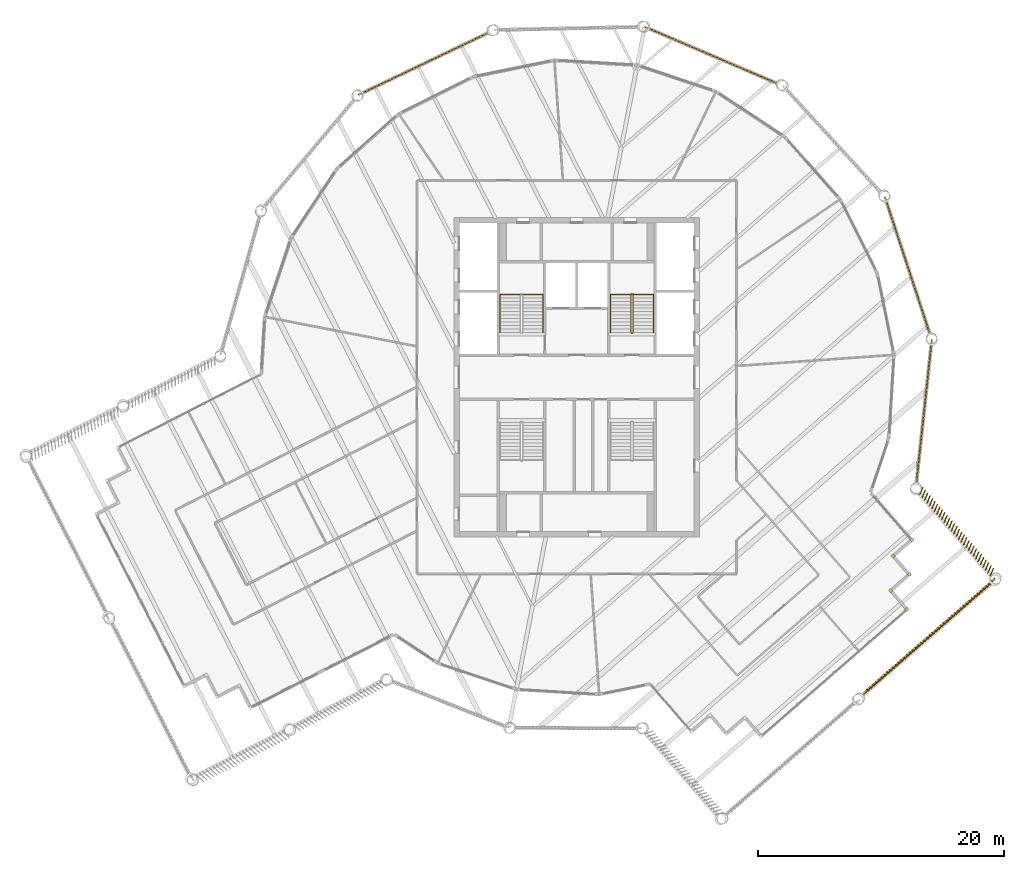
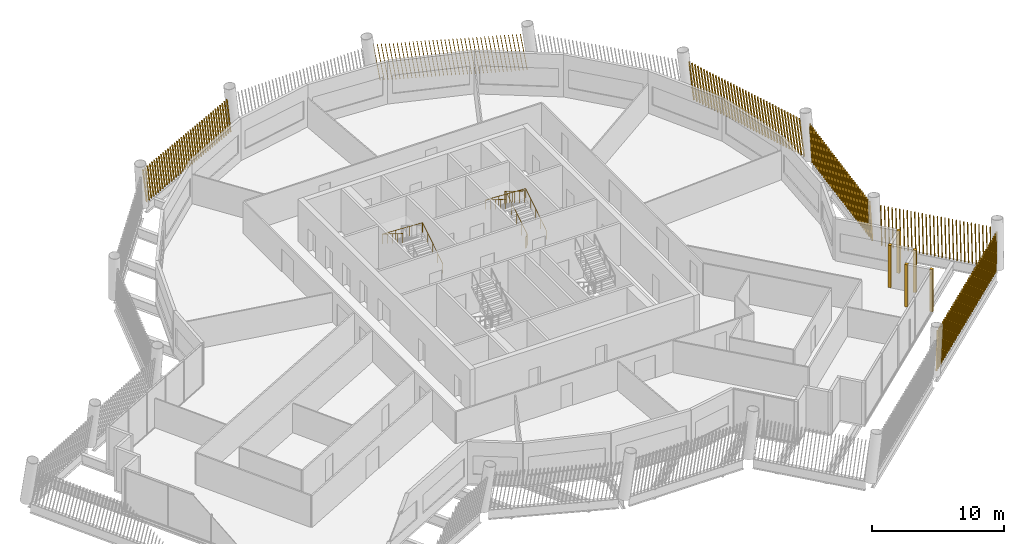
# One storey, part 27 of 28: 11 shading devices, 3 railings.
"""IFC4 building model written with IfcOpenShell, lengths in metres."""

from ifc_helpers import new_model, si_unit, direction, frame, frame_2d, origin, origin_2d, place, context, subcontext, project, spatial, rectangle, circle, composite_profile, extrude, material, type_object, element, save


model = new_model("IFC4")

# Units and contexts
model_context = context("Model", 3, precision=1e-05, world=origin(), true_north=direction((0.0, 1.0)))
body_context = subcontext(model_context, "Body", "Model", "MODEL_VIEW")
ifc_project = project(units=[si_unit("LENGTHUNIT", "METRE"), si_unit("AREAUNIT", "SQUARE_METRE"), si_unit("VOLUMEUNIT", "CUBIC_METRE"), si_unit("PLANEANGLEUNIT", "RADIAN"), si_unit("MASSUNIT", "GRAM", prefix="KILO")], contexts=[model_context])

# Site, building, storey
site_placement = place(None, origin())
site = spatial("IfcSite", under=ifc_project, at=site_placement, CompositionType="ELEMENT")
building_placement = place(site_placement, origin())
building = spatial("IfcBuilding", under=site, at=building_placement, Name="Tarsis Ring Headquarters", CompositionType="ELEMENT")
storey_placement = place(building_placement, frame((0.0, 0.0, 394.39990234375)))
storey = spatial("IfcBuildingStorey", under=building, at=storey_placement, Name="L93", CompositionType="ELEMENT", Elevation=394.39990234375)

# Railings
ifc_material_1 = material(Name="Steel S355", Category="steel")
railing_type_1 = type_object("IfcRailingType", Name="Core stair guard 1100", PredefinedType="GUARDRAIL", material=ifc_material_1)
railing_1_placement = place(storey_placement, frame((4.4599609375, 3.610107421875, 0.0)))
element("IfcRailing", 1, at=railing_1_placement, inside=storey, type_object=railing_type_1, Name="L93 ST2 stair guard 1", PredefinedType="GUARDRAIL", context=body_context, shape_type="SweptSolid", body=[
    extrude(circle(Radius=0.02392578125, at=origin_2d()), frame((0.0, 0.0, 1.076171875), z_axis=(1.0, 0.0, 0.0), x_axis=(0.0, 1.0, 0.0)), (0.0, 0.0, 1.0), 0.080078125),
    extrude(circle(Radius=0.02392578125, at=origin_2d()), frame((0.080078125, 0.0, 1.076171875), z_axis=(0.265155923931, 0.263862480399, 0.927399011991), x_axis=(-0.705375805398, 0.708833529934, 0.0)), (0.0, 0.0, 1.0), 0.188720703125),
    extrude(circle(Radius=0.02392578125, at=origin_2d()), frame((0.130126953125, 0.0498046875, 1.2509765625), z_axis=(0.0, 0.847998304005, 0.529998940003), x_axis=(-1.0, 0.0, 0.0)), (0.0, 0.0, 1.0), 3.632080078125),
    extrude(circle(Radius=0.02392578125, at=origin_2d()), frame((0.130126953125, 3.1298828125, 3.17626953125), z_axis=(-0.707106781187, 0.707106781187, 0.0), x_axis=(-0.707106781187, -0.707106781187, 0.0)), (0.0, 0.0, 1.0), 0.07080078125),
    extrude(circle(Radius=0.02392578125, at=origin_2d()), frame((0.080078125, 3.179931640625, 3.17626953125), z_axis=(-1.0, 0.0, 0.0), x_axis=(0.0, -1.0, 0.0)), (0.0, 0.0, 1.0), 0.080078125),
    extrude(circle(Radius=0.02392578125, at=origin_2d()), frame((0.0, 3.179931640625, 3.17626953125), z_axis=(-0.265065253269, -0.265065253269, 0.927081885822), x_axis=(0.707106781187, -0.707106781187, 0.0)), (0.0, 0.0, 1.0), 0.188720703125),
    extrude(circle(Radius=0.02392578125, at=origin_2d()), frame((-0.050048828125, 3.1298828125, 3.35107421875), z_axis=(0.0, -0.847998304005, 0.529998940003), x_axis=(1.0, 0.0, 0.0)), (0.0, 0.0, 1.0), 3.632080078125),
    extrude(circle(Radius=0.02099609375, at=origin_2d()), origin(), (0.0, 0.0, 1.0), 1.052001953125),
    extrude(circle(Radius=0.02099609375, at=origin_2d()), frame((0.080078125, 0.0, 0.0)), (0.0, 0.0, 1.0), 1.052001953125),
    extrude(circle(Radius=0.02099609375, at=origin_2d()), frame((0.130126953125, 0.0498046875, 0.175048828125)), (0.0, 0.0, 1.0), 1.052001953125),
    extrude(circle(Radius=0.02099609375, at=origin_2d()), frame((0.130126953125, 0.81982421875, 0.65625)), (0.0, 0.0, 1.0), 1.052001953125),
    extrude(circle(Radius=0.02099609375, at=origin_2d()), frame((0.130126953125, 1.58984375, 1.1376953125)), (0.0, 0.0, 1.0), 1.052001953125),
    extrude(circle(Radius=0.02099609375, at=origin_2d()), frame((0.130126953125, 2.35986328125, 1.618896484375)), (0.0, 0.0, 1.0), 1.052001953125),
    extrude(circle(Radius=0.02099609375, at=origin_2d()), frame((0.130126953125, 3.1298828125, 2.10009765625)), (0.0, 0.0, 1.0), 1.052001953125),
    extrude(circle(Radius=0.02099609375, at=origin_2d()), frame((0.080078125, 3.179931640625, 2.10009765625)), (0.0, 0.0, 1.0), 1.052001953125),
    extrude(circle(Radius=0.02099609375, at=origin_2d()), frame((0.0, 3.179931640625, 2.10009765625)), (0.0, 0.0, 1.0), 1.052001953125),
    extrude(circle(Radius=0.02099609375, at=origin_2d()), frame((-0.050048828125, 3.1298828125, 2.275146484375)), (0.0, 0.0, 1.0), 1.052001953125),
    extrude(circle(Radius=0.02099609375, at=origin_2d()), frame((-0.050048828125, 2.35986328125, 2.75634765625)), (0.0, 0.0, 1.0), 1.052001953125),
    extrude(circle(Radius=0.02099609375, at=origin_2d()), frame((-0.050048828125, 1.58984375, 3.23779296875)), (0.0, 0.0, 1.0), 1.052001953125),
    extrude(circle(Radius=0.02099609375, at=origin_2d()), frame((-0.050048828125, 0.81982421875, 3.718994140625)), (0.0, 0.0, 1.0), 1.052001953125),
    extrude(circle(Radius=0.02099609375, at=origin_2d()), frame((-0.050048828125, 0.0498046875, 4.2001953125)), (0.0, 0.0, 1.0), 1.052001953125),
])
railing_type_2 = type_object("IfcRailingType", Name="Core stair handrail 900", PredefinedType="HANDRAIL", material=ifc_material_1)
railing_2_placement = place(storey_placement, frame((-2.75, 3.659912109375, 0.175048828125)))
element("IfcRailing", 2, at=railing_2_placement, inside=storey, type_object=railing_type_2, Name="L93 ST1 stair handrail 1", PredefinedType="HANDRAIL", context=body_context, shape_type="SweptSolid", body=[
    extrude(circle(Radius=0.02392578125, at=origin_2d()), frame((0.0, 0.0, 0.8759765625), z_axis=(0.0, 0.847998304005, 0.529998940003), x_axis=(-1.0, 0.0, 0.0)), (0.0, 0.0, 1.0), 3.632080078125),
    extrude(circle(Radius=0.02392578125, at=origin_2d()), frame((0.0, 3.080078125, 2.80078125), z_axis=(-0.998751643845, 0.0, 0.049951515669), x_axis=(0.0, -1.0, 0.0)), (0.0, 0.0, 1.0), 3.50439453125),
    extrude(circle(Radius=0.02392578125, at=origin_2d()), frame((-3.5, 3.080078125, 2.97607421875), z_axis=(0.0, -0.847998304005, 0.529998940003), x_axis=(1.0, 0.0, 0.0)), (0.0, 0.0, 1.0), 3.632080078125),
    extrude(circle(Radius=0.02099609375, at=origin_2d()), origin(), (0.0, 0.0, 1.0), 0.851806640625),
    extrude(circle(Radius=0.02099609375, at=origin_2d()), frame((0.0, 0.77001953125, 0.481201171875)), (0.0, 0.0, 1.0), 0.851806640625),
    extrude(circle(Radius=0.02099609375, at=origin_2d()), frame((0.0, 1.5400390625, 0.96240234375)), (0.0, 0.0, 1.0), 0.851806640625),
    extrude(circle(Radius=0.02099609375, at=origin_2d()), frame((0.0, 2.31005859375, 1.44384765625)), (0.0, 0.0, 1.0), 0.851806640625),
    extrude(circle(Radius=0.02099609375, at=origin_2d()), frame((0.0, 3.080078125, 1.925048828125)), (0.0, 0.0, 1.0), 0.851806640625),
    extrude(circle(Radius=0.02099609375, at=origin_2d()), frame((-1.166748046875, 3.080078125, 1.9833984375)), (0.0, 0.0, 1.0), 0.851806640625),
    extrude(circle(Radius=0.02099609375, at=origin_2d()), frame((-2.333251953125, 3.080078125, 2.041748046875)), (0.0, 0.0, 1.0), 0.851806640625),
    extrude(circle(Radius=0.02099609375, at=origin_2d()), frame((-3.5, 3.080078125, 2.10009765625)), (0.0, 0.0, 1.0), 0.851806640625),
    extrude(circle(Radius=0.02099609375, at=origin_2d()), frame((-3.5, 2.31005859375, 2.581298828125)), (0.0, 0.0, 1.0), 0.851806640625),
    extrude(circle(Radius=0.02099609375, at=origin_2d()), frame((-3.5, 1.5400390625, 3.0625)), (0.0, 0.0, 1.0), 0.851806640625),
    extrude(circle(Radius=0.02099609375, at=origin_2d()), frame((-3.5, 0.77001953125, 3.5439453125)), (0.0, 0.0, 1.0), 0.851806640625),
    extrude(circle(Radius=0.02099609375, at=origin_2d()), frame((-3.5, 0.0, 4.025146484375)), (0.0, 0.0, 1.0), 0.851806640625),
])
railing_3_placement = place(storey_placement, frame((6.25, 3.659912109375, 0.175048828125)))
element("IfcRailing", 3, at=railing_3_placement, inside=storey, type_object=railing_type_2, Name="L93 ST2 stair handrail 1", PredefinedType="HANDRAIL", context=body_context, shape_type="SweptSolid", body=[
    extrude(circle(Radius=0.02392578125, at=origin_2d()), frame((0.0, 0.0, 0.8759765625), z_axis=(0.0, 0.847998304005, 0.529998940003), x_axis=(-1.0, 0.0, 0.0)), (0.0, 0.0, 1.0), 3.632080078125),
    extrude(circle(Radius=0.02392578125, at=origin_2d()), frame((0.0, 3.080078125, 2.80078125), z_axis=(-0.998751643845, 0.0, 0.049951515669), x_axis=(0.0, -1.0, 0.0)), (0.0, 0.0, 1.0), 3.50439453125),
    extrude(circle(Radius=0.02392578125, at=origin_2d()), frame((-3.5, 3.080078125, 2.97607421875), z_axis=(0.0, -0.847998304005, 0.529998940003), x_axis=(1.0, 0.0, 0.0)), (0.0, 0.0, 1.0), 3.632080078125),
    extrude(circle(Radius=0.02099609375, at=origin_2d()), origin(), (0.0, 0.0, 1.0), 0.851806640625),
    extrude(circle(Radius=0.02099609375, at=origin_2d()), frame((0.0, 0.77001953125, 0.481201171875)), (0.0, 0.0, 1.0), 0.851806640625),
    extrude(circle(Radius=0.02099609375, at=origin_2d()), frame((0.0, 1.5400390625, 0.96240234375)), (0.0, 0.0, 1.0), 0.851806640625),
    extrude(circle(Radius=0.02099609375, at=origin_2d()), frame((0.0, 2.31005859375, 1.44384765625)), (0.0, 0.0, 1.0), 0.851806640625),
    extrude(circle(Radius=0.02099609375, at=origin_2d()), frame((0.0, 3.080078125, 1.925048828125)), (0.0, 0.0, 1.0), 0.851806640625),
    extrude(circle(Radius=0.02099609375, at=origin_2d()), frame((-1.166748046875, 3.080078125, 1.9833984375)), (0.0, 0.0, 1.0), 0.851806640625),
    extrude(circle(Radius=0.02099609375, at=origin_2d()), frame((-2.333251953125, 3.080078125, 2.041748046875)), (0.0, 0.0, 1.0), 0.851806640625),
    extrude(circle(Radius=0.02099609375, at=origin_2d()), frame((-3.5, 3.080078125, 2.10009765625)), (0.0, 0.0, 1.0), 0.851806640625),
    extrude(circle(Radius=0.02099609375, at=origin_2d()), frame((-3.5, 2.31005859375, 2.581298828125)), (0.0, 0.0, 1.0), 0.851806640625),
    extrude(circle(Radius=0.02099609375, at=origin_2d()), frame((-3.5, 1.5400390625, 3.0625)), (0.0, 0.0, 1.0), 0.851806640625),
    extrude(circle(Radius=0.02099609375, at=origin_2d()), frame((-3.5, 0.77001953125, 3.5439453125)), (0.0, 0.0, 1.0), 0.851806640625),
    extrude(circle(Radius=0.02099609375, at=origin_2d()), frame((-3.5, 0.0, 4.025146484375)), (0.0, 0.0, 1.0), 0.851806640625),
])

# Shading devices
ifc_material_2 = material(Name="Terracotta baguette", Category="masonry")
shading_device_type_1 = type_object("IfcShadingDeviceType", Name="Terracotta baguette screen", PredefinedType="USERDEFINED", material=ifc_material_2)
shading_device_1_placement = place(storey_placement, frame((23.226318359375, -25.919677734375, 0.0), z_axis=(0.0, 0.0, 1.0), x_axis=(0.754250331712, 0.656576735958, 0.0)))
element("IfcShadingDevice", 4, at=shading_device_1_placement, inside=storey, type_object=shading_device_type_1, Name="Baguette screen L93-03", ObjectType="Terracotta baguette screen", PredefinedType="USERDEFINED", context=body_context, shape_type="SweptSolid", body=[
    extrude(composite_profile([rectangle(XDim=0.06005859375, YDim=0.1201171875, at=frame_2d((0.030029296875, 0.0))), rectangle(XDim=0.06005859375, YDim=0.1201171875, at=frame_2d((0.33544921875, 0.0))), rectangle(XDim=0.06005859375, YDim=0.1201171875, at=frame_2d((0.640625, 0.0))), rectangle(XDim=0.06005859375, YDim=0.1201171875, at=frame_2d((0.946044921875, 0.0))), rectangle(XDim=0.06005859375, YDim=0.1201171875, at=frame_2d((1.25146484375, 0.0))), rectangle(XDim=0.06005859375, YDim=0.1201171875, at=frame_2d((1.556640625, 0.0))), rectangle(XDim=0.06005859375, YDim=0.1201171875, at=frame_2d((1.862060546875, 0.0))), rectangle(XDim=0.06005859375, YDim=0.1201171875, at=frame_2d((2.16748046875, 0.0))), rectangle(XDim=0.06005859375, YDim=0.1201171875, at=frame_2d((2.47265625, 0.0))), rectangle(XDim=0.06005859375, YDim=0.1201171875, at=frame_2d((2.778076171875, 0.0))), rectangle(XDim=0.06005859375, YDim=0.1201171875, at=frame_2d((3.08349609375, 0.0))), rectangle(XDim=0.06005859375, YDim=0.1201171875, at=frame_2d((3.388671875, 0.0))), rectangle(XDim=0.06005859375, YDim=0.1201171875, at=frame_2d((3.694091796875, 0.0))), rectangle(XDim=0.06005859375, YDim=0.1201171875, at=frame_2d((3.99951171875, 0.0))), rectangle(XDim=0.06005859375, YDim=0.1201171875, at=frame_2d((4.3046875, 0.0))), rectangle(XDim=0.06005859375, YDim=0.1201171875, at=frame_2d((4.610107421875, 0.0))), rectangle(XDim=0.06005859375, YDim=0.1201171875, at=frame_2d((4.91552734375, 0.0))), rectangle(XDim=0.06005859375, YDim=0.1201171875, at=frame_2d((5.220703125, 0.0))), rectangle(XDim=0.06005859375, YDim=0.1201171875, at=frame_2d((5.526123046875, 0.0))), rectangle(XDim=0.06005859375, YDim=0.1201171875, at=frame_2d((5.83154296875, 0.0))), rectangle(XDim=0.06005859375, YDim=0.1201171875, at=frame_2d((6.13671875, 0.0))), rectangle(XDim=0.06005859375, YDim=0.1201171875, at=frame_2d((6.442138671875, 0.0))), rectangle(XDim=0.06005859375, YDim=0.1201171875, at=frame_2d((6.74755859375, 0.0))), rectangle(XDim=0.06005859375, YDim=0.1201171875, at=frame_2d((7.052734375, 0.0))), rectangle(XDim=0.06005859375, YDim=0.1201171875, at=frame_2d((7.358154296875, 0.0))), rectangle(XDim=0.06005859375, YDim=0.1201171875, at=frame_2d((7.66357421875, 0.0))), rectangle(XDim=0.06005859375, YDim=0.1201171875, at=frame_2d((7.96875, 0.0))), rectangle(XDim=0.06005859375, YDim=0.1201171875, at=frame_2d((8.274169921875, 0.0))), rectangle(XDim=0.06005859375, YDim=0.1201171875, at=frame_2d((8.57958984375, 0.0))), rectangle(XDim=0.06005859375, YDim=0.1201171875, at=frame_2d((8.884765625, 0.0))), rectangle(XDim=0.06005859375, YDim=0.1201171875, at=frame_2d((9.190185546875, 0.0))), rectangle(XDim=0.06005859375, YDim=0.1201171875, at=frame_2d((9.49560546875, 0.0))), rectangle(XDim=0.06005859375, YDim=0.1201171875, at=frame_2d((9.80078125, 0.0))), rectangle(XDim=0.06005859375, YDim=0.1201171875, at=frame_2d((10.106201171875, 0.0))), rectangle(XDim=0.06005859375, YDim=0.1201171875, at=frame_2d((10.41162109375, 0.0))), rectangle(XDim=0.06005859375, YDim=0.1201171875, at=frame_2d((10.716796875, 0.0))), rectangle(XDim=0.06005859375, YDim=0.1201171875, at=frame_2d((11.022216796875, 0.0))), rectangle(XDim=0.06005859375, YDim=0.1201171875, at=frame_2d((11.32763671875, 0.0))), rectangle(XDim=0.06005859375, YDim=0.1201171875, at=frame_2d((11.6328125, 0.0))), rectangle(XDim=0.06005859375, YDim=0.1201171875, at=frame_2d((11.938232421875, 0.0))), rectangle(XDim=0.06005859375, YDim=0.1201171875, at=frame_2d((12.24365234375, 0.0))), rectangle(XDim=0.06005859375, YDim=0.1201171875, at=frame_2d((12.548828125, 0.0))), rectangle(XDim=0.06005859375, YDim=0.1201171875, at=frame_2d((12.854248046875, 0.0))), rectangle(XDim=0.06005859375, YDim=0.1201171875, at=frame_2d((13.15966796875, 0.0))), rectangle(XDim=0.06005859375, YDim=0.1201171875, at=frame_2d((13.46484375, 0.0))), rectangle(XDim=0.06005859375, YDim=0.1201171875, at=frame_2d((13.770263671875, 0.0)))]), origin(), (0.187702304478, 0.041698971866, 0.981340430554), 3.358642578125),
])
shading_device_2_placement = place(storey_placement, frame((33.683837890625, -16.1533203125, 0.0), z_axis=(0.0, 0.0, 1.0), x_axis=(-0.656582741792, 0.754242457853, 0.0)))
element("IfcShadingDevice", 5, at=shading_device_2_placement, inside=storey, type_object=shading_device_type_1, Name="Baguette screen L93-04", ObjectType="Terracotta baguette screen", PredefinedType="USERDEFINED", context=body_context, shape_type="SweptSolid", body=[
    extrude(composite_profile([rectangle(XDim=0.06005859375, YDim=0.1201171875, at=frame_2d((0.030029296875, 0.0))), rectangle(XDim=0.06005859375, YDim=0.1201171875, at=frame_2d((0.33154296875, 0.0))), rectangle(XDim=0.06005859375, YDim=0.1201171875, at=frame_2d((0.633056640625, 0.0))), rectangle(XDim=0.06005859375, YDim=0.1201171875, at=frame_2d((0.9345703125, 0.0))), rectangle(XDim=0.06005859375, YDim=0.1201171875, at=frame_2d((1.236083984375, 0.0))), rectangle(XDim=0.06005859375, YDim=0.1201171875, at=frame_2d((1.537841796875, 0.0))), rectangle(XDim=0.06005859375, YDim=0.1201171875, at=frame_2d((1.83935546875, 0.0))), rectangle(XDim=0.06005859375, YDim=0.1201171875, at=frame_2d((2.140869140625, 0.0))), rectangle(XDim=0.06005859375, YDim=0.1201171875, at=frame_2d((2.4423828125, 0.0))), rectangle(XDim=0.06005859375, YDim=0.1201171875, at=frame_2d((2.743896484375, 0.0))), rectangle(XDim=0.06005859375, YDim=0.1201171875, at=frame_2d((3.04541015625, 0.0))), rectangle(XDim=0.06005859375, YDim=0.1201171875, at=frame_2d((3.346923828125, 0.0))), rectangle(XDim=0.06005859375, YDim=0.1201171875, at=frame_2d((3.6484375, 0.0))), rectangle(XDim=0.06005859375, YDim=0.1201171875, at=frame_2d((3.949951171875, 0.0))), rectangle(XDim=0.06005859375, YDim=0.1201171875, at=frame_2d((4.25146484375, 0.0))), rectangle(XDim=0.06005859375, YDim=0.1201171875, at=frame_2d((4.55322265625, 0.0))), rectangle(XDim=0.06005859375, YDim=0.1201171875, at=frame_2d((4.854736328125, 0.0))), rectangle(XDim=0.06005859375, YDim=0.1201171875, at=frame_2d((5.15625, 0.0))), rectangle(XDim=0.06005859375, YDim=0.1201171875, at=frame_2d((5.457763671875, 0.0))), rectangle(XDim=0.06005859375, YDim=0.1201171875, at=frame_2d((5.75927734375, 0.0))), rectangle(XDim=0.06005859375, YDim=0.1201171875, at=frame_2d((6.060791015625, 0.0))), rectangle(XDim=0.06005859375, YDim=0.1201171875, at=frame_2d((6.3623046875, 0.0))), rectangle(XDim=0.06005859375, YDim=0.1201171875, at=frame_2d((6.663818359375, 0.0))), rectangle(XDim=0.06005859375, YDim=0.1201171875, at=frame_2d((6.96533203125, 0.0))), rectangle(XDim=0.06005859375, YDim=0.1201171875, at=frame_2d((7.266845703125, 0.0))), rectangle(XDim=0.06005859375, YDim=0.1201171875, at=frame_2d((7.568603515625, 0.0))), rectangle(XDim=0.06005859375, YDim=0.1201171875, at=frame_2d((7.8701171875, 0.0))), rectangle(XDim=0.06005859375, YDim=0.1201171875, at=frame_2d((8.171630859375, 0.0))), rectangle(XDim=0.06005859375, YDim=0.1201171875, at=frame_2d((8.47314453125, 0.0))), rectangle(XDim=0.06005859375, YDim=0.1201171875, at=frame_2d((8.774658203125, 0.0)))]), origin(), (0.081630079986, -0.161207331101, 0.983538878968), 3.35107421875),
])
shading_device_3_placement = place(storey_placement, frame((27.628173828125, -8.638427734375, 0.0), z_axis=(0.0, 0.0, 1.0), x_axis=(0.107279277715, 0.994226929421, 0.0)))
element("IfcShadingDevice", 6, at=shading_device_3_placement, inside=storey, type_object=shading_device_type_1, Name="Baguette screen L93-05", ObjectType="Terracotta baguette screen", PredefinedType="USERDEFINED", context=body_context, shape_type="SweptSolid", body=[
    extrude(composite_profile([rectangle(XDim=0.06005859375, YDim=0.1201171875, at=frame_2d((0.030029296875, 0.0))), rectangle(XDim=0.06005859375, YDim=0.1201171875, at=frame_2d((0.33251953125, 0.0))), rectangle(XDim=0.06005859375, YDim=0.1201171875, at=frame_2d((0.634765625, 0.0))), rectangle(XDim=0.06005859375, YDim=0.1201171875, at=frame_2d((0.937255859375, 0.0))), rectangle(XDim=0.06005859375, YDim=0.1201171875, at=frame_2d((1.239501953125, 0.0))), rectangle(XDim=0.06005859375, YDim=0.1201171875, at=frame_2d((1.5419921875, 0.0))), rectangle(XDim=0.06005859375, YDim=0.1201171875, at=frame_2d((1.844482421875, 0.0))), rectangle(XDim=0.06005859375, YDim=0.1201171875, at=frame_2d((2.146728515625, 0.0))), rectangle(XDim=0.06005859375, YDim=0.1201171875, at=frame_2d((2.44921875, 0.0))), rectangle(XDim=0.06005859375, YDim=0.1201171875, at=frame_2d((2.751708984375, 0.0))), rectangle(XDim=0.06005859375, YDim=0.1201171875, at=frame_2d((3.053955078125, 0.0))), rectangle(XDim=0.06005859375, YDim=0.1201171875, at=frame_2d((3.3564453125, 0.0))), rectangle(XDim=0.06005859375, YDim=0.1201171875, at=frame_2d((3.65869140625, 0.0))), rectangle(XDim=0.06005859375, YDim=0.1201171875, at=frame_2d((3.961181640625, 0.0))), rectangle(XDim=0.06005859375, YDim=0.1201171875, at=frame_2d((4.263671875, 0.0))), rectangle(XDim=0.06005859375, YDim=0.1201171875, at=frame_2d((4.56591796875, 0.0))), rectangle(XDim=0.06005859375, YDim=0.1201171875, at=frame_2d((4.868408203125, 0.0))), rectangle(XDim=0.06005859375, YDim=0.1201171875, at=frame_2d((5.1708984375, 0.0))), rectangle(XDim=0.06005859375, YDim=0.1201171875, at=frame_2d((5.47314453125, 0.0))), rectangle(XDim=0.06005859375, YDim=0.1201171875, at=frame_2d((5.775634765625, 0.0))), rectangle(XDim=0.06005859375, YDim=0.1201171875, at=frame_2d((6.077880859375, 0.0))), rectangle(XDim=0.06005859375, YDim=0.1201171875, at=frame_2d((6.38037109375, 0.0))), rectangle(XDim=0.06005859375, YDim=0.1201171875, at=frame_2d((6.682861328125, 0.0))), rectangle(XDim=0.06005859375, YDim=0.1201171875, at=frame_2d((6.985107421875, 0.0))), rectangle(XDim=0.06005859375, YDim=0.1201171875, at=frame_2d((7.28759765625, 0.0))), rectangle(XDim=0.06005859375, YDim=0.1201171875, at=frame_2d((7.590087890625, 0.0))), rectangle(XDim=0.06005859375, YDim=0.1201171875, at=frame_2d((7.892333984375, 0.0))), rectangle(XDim=0.06005859375, YDim=0.1201171875, at=frame_2d((8.19482421875, 0.0))), rectangle(XDim=0.06005859375, YDim=0.1201171875, at=frame_2d((8.4970703125, 0.0))), rectangle(XDim=0.06005859375, YDim=0.1201171875, at=frame_2d((8.799560546875, 0.0))), rectangle(XDim=0.06005859375, YDim=0.1201171875, at=frame_2d((9.10205078125, 0.0))), rectangle(XDim=0.06005859375, YDim=0.1201171875, at=frame_2d((9.404296875, 0.0))), rectangle(XDim=0.06005859375, YDim=0.1201171875, at=frame_2d((9.706787109375, 0.0))), rectangle(XDim=0.06005859375, YDim=0.1201171875, at=frame_2d((10.00927734375, 0.0))), rectangle(XDim=0.06005859375, YDim=0.1201171875, at=frame_2d((10.3115234375, 0.0))), rectangle(XDim=0.06005859375, YDim=0.1201171875, at=frame_2d((10.614013671875, 0.0))), rectangle(XDim=0.06005859375, YDim=0.1201171875, at=frame_2d((10.916259765625, 0.0))), rectangle(XDim=0.06005859375, YDim=0.1201171875, at=frame_2d((11.21875, 0.0)))]), origin(), (0.154495703572, 0.001401679472, 0.987992466), 3.3359375),
])
shading_device_4_placement = place(storey_placement, frame((28.732666015625, 3.517822265625, 0.0), z_axis=(0.0, 0.0, 1.0), x_axis=(-0.312056429734, 0.950059685296, 0.0)))
element("IfcShadingDevice", 7, at=shading_device_4_placement, inside=storey, type_object=shading_device_type_1, Name="Baguette screen L93-06", ObjectType="Terracotta baguette screen", PredefinedType="USERDEFINED", context=body_context, shape_type="SweptSolid", body=[
    extrude(composite_profile([rectangle(XDim=0.06005859375, YDim=0.1201171875, at=frame_2d((0.030029296875, 0.0))), rectangle(XDim=0.06005859375, YDim=0.1201171875, at=frame_2d((0.33251953125, 0.0))), rectangle(XDim=0.06005859375, YDim=0.1201171875, at=frame_2d((0.634765625, 0.0))), rectangle(XDim=0.06005859375, YDim=0.1201171875, at=frame_2d((0.937255859375, 0.0))), rectangle(XDim=0.06005859375, YDim=0.1201171875, at=frame_2d((1.239501953125, 0.0))), rectangle(XDim=0.06005859375, YDim=0.1201171875, at=frame_2d((1.5419921875, 0.0))), rectangle(XDim=0.06005859375, YDim=0.1201171875, at=frame_2d((1.844482421875, 0.0))), rectangle(XDim=0.06005859375, YDim=0.1201171875, at=frame_2d((2.146728515625, 0.0))), rectangle(XDim=0.06005859375, YDim=0.1201171875, at=frame_2d((2.44921875, 0.0))), rectangle(XDim=0.06005859375, YDim=0.1201171875, at=frame_2d((2.751708984375, 0.0))), rectangle(XDim=0.06005859375, YDim=0.1201171875, at=frame_2d((3.053955078125, 0.0))), rectangle(XDim=0.06005859375, YDim=0.1201171875, at=frame_2d((3.3564453125, 0.0))), rectangle(XDim=0.06005859375, YDim=0.1201171875, at=frame_2d((3.65869140625, 0.0))), rectangle(XDim=0.06005859375, YDim=0.1201171875, at=frame_2d((3.961181640625, 0.0))), rectangle(XDim=0.06005859375, YDim=0.1201171875, at=frame_2d((4.263671875, 0.0))), rectangle(XDim=0.06005859375, YDim=0.1201171875, at=frame_2d((4.56591796875, 0.0))), rectangle(XDim=0.06005859375, YDim=0.1201171875, at=frame_2d((4.868408203125, 0.0))), rectangle(XDim=0.06005859375, YDim=0.1201171875, at=frame_2d((5.1708984375, 0.0))), rectangle(XDim=0.06005859375, YDim=0.1201171875, at=frame_2d((5.47314453125, 0.0))), rectangle(XDim=0.06005859375, YDim=0.1201171875, at=frame_2d((5.775634765625, 0.0))), rectangle(XDim=0.06005859375, YDim=0.1201171875, at=frame_2d((6.077880859375, 0.0))), rectangle(XDim=0.06005859375, YDim=0.1201171875, at=frame_2d((6.38037109375, 0.0))), rectangle(XDim=0.06005859375, YDim=0.1201171875, at=frame_2d((6.682861328125, 0.0))), rectangle(XDim=0.06005859375, YDim=0.1201171875, at=frame_2d((6.985107421875, 0.0))), rectangle(XDim=0.06005859375, YDim=0.1201171875, at=frame_2d((7.28759765625, 0.0))), rectangle(XDim=0.06005859375, YDim=0.1201171875, at=frame_2d((7.590087890625, 0.0))), rectangle(XDim=0.06005859375, YDim=0.1201171875, at=frame_2d((7.892333984375, 0.0))), rectangle(XDim=0.06005859375, YDim=0.1201171875, at=frame_2d((8.19482421875, 0.0))), rectangle(XDim=0.06005859375, YDim=0.1201171875, at=frame_2d((8.4970703125, 0.0))), rectangle(XDim=0.06005859375, YDim=0.1201171875, at=frame_2d((8.799560546875, 0.0))), rectangle(XDim=0.06005859375, YDim=0.1201171875, at=frame_2d((9.10205078125, 0.0))), rectangle(XDim=0.06005859375, YDim=0.1201171875, at=frame_2d((9.404296875, 0.0))), rectangle(XDim=0.06005859375, YDim=0.1201171875, at=frame_2d((9.706787109375, 0.0))), rectangle(XDim=0.06005859375, YDim=0.1201171875, at=frame_2d((10.00927734375, 0.0))), rectangle(XDim=0.06005859375, YDim=0.1201171875, at=frame_2d((10.3115234375, 0.0))), rectangle(XDim=0.06005859375, YDim=0.1201171875, at=frame_2d((10.614013671875, 0.0))), rectangle(XDim=0.06005859375, YDim=0.1201171875, at=frame_2d((10.916259765625, 0.0))), rectangle(XDim=0.06005859375, YDim=0.1201171875, at=frame_2d((11.21875, 0.0)))]), origin(), (0.154495251107, 0.001403526266, 0.987992534131), 3.3359375),
])
shading_device_5_placement = place(storey_placement, frame((16.3271484375, 23.9033203125, 0.0), z_axis=(0.0, 0.0, 1.0), x_axis=(-0.91960933261, 0.392837764514, 0.0)))
element("IfcShadingDevice", 8, at=shading_device_5_placement, inside=storey, type_object=shading_device_type_1, Name="Baguette screen L93-08", ObjectType="Terracotta baguette screen", PredefinedType="USERDEFINED", context=body_context, shape_type="SweptSolid", body=[
    extrude(composite_profile([rectangle(XDim=0.06005859375, YDim=0.1201171875, at=frame_2d((0.030029296875, 0.0))), rectangle(XDim=0.06005859375, YDim=0.1201171875, at=frame_2d((0.33251953125, 0.0))), rectangle(XDim=0.06005859375, YDim=0.1201171875, at=frame_2d((0.634765625, 0.0))), rectangle(XDim=0.06005859375, YDim=0.1201171875, at=frame_2d((0.937255859375, 0.0))), rectangle(XDim=0.06005859375, YDim=0.1201171875, at=frame_2d((1.239501953125, 0.0))), rectangle(XDim=0.06005859375, YDim=0.1201171875, at=frame_2d((1.5419921875, 0.0))), rectangle(XDim=0.06005859375, YDim=0.1201171875, at=frame_2d((1.844482421875, 0.0))), rectangle(XDim=0.06005859375, YDim=0.1201171875, at=frame_2d((2.146728515625, 0.0))), rectangle(XDim=0.06005859375, YDim=0.1201171875, at=frame_2d((2.44921875, 0.0))), rectangle(XDim=0.06005859375, YDim=0.1201171875, at=frame_2d((2.751708984375, 0.0))), rectangle(XDim=0.06005859375, YDim=0.1201171875, at=frame_2d((3.053955078125, 0.0))), rectangle(XDim=0.06005859375, YDim=0.1201171875, at=frame_2d((3.3564453125, 0.0))), rectangle(XDim=0.06005859375, YDim=0.1201171875, at=frame_2d((3.65869140625, 0.0))), rectangle(XDim=0.06005859375, YDim=0.1201171875, at=frame_2d((3.961181640625, 0.0))), rectangle(XDim=0.06005859375, YDim=0.1201171875, at=frame_2d((4.263671875, 0.0))), rectangle(XDim=0.06005859375, YDim=0.1201171875, at=frame_2d((4.56591796875, 0.0))), rectangle(XDim=0.06005859375, YDim=0.1201171875, at=frame_2d((4.868408203125, 0.0))), rectangle(XDim=0.06005859375, YDim=0.1201171875, at=frame_2d((5.1708984375, 0.0))), rectangle(XDim=0.06005859375, YDim=0.1201171875, at=frame_2d((5.47314453125, 0.0))), rectangle(XDim=0.06005859375, YDim=0.1201171875, at=frame_2d((5.775634765625, 0.0))), rectangle(XDim=0.06005859375, YDim=0.1201171875, at=frame_2d((6.077880859375, 0.0))), rectangle(XDim=0.06005859375, YDim=0.1201171875, at=frame_2d((6.38037109375, 0.0))), rectangle(XDim=0.06005859375, YDim=0.1201171875, at=frame_2d((6.682861328125, 0.0))), rectangle(XDim=0.06005859375, YDim=0.1201171875, at=frame_2d((6.985107421875, 0.0))), rectangle(XDim=0.06005859375, YDim=0.1201171875, at=frame_2d((7.28759765625, 0.0))), rectangle(XDim=0.06005859375, YDim=0.1201171875, at=frame_2d((7.590087890625, 0.0))), rectangle(XDim=0.06005859375, YDim=0.1201171875, at=frame_2d((7.892333984375, 0.0))), rectangle(XDim=0.06005859375, YDim=0.1201171875, at=frame_2d((8.19482421875, 0.0))), rectangle(XDim=0.06005859375, YDim=0.1201171875, at=frame_2d((8.4970703125, 0.0))), rectangle(XDim=0.06005859375, YDim=0.1201171875, at=frame_2d((8.799560546875, 0.0))), rectangle(XDim=0.06005859375, YDim=0.1201171875, at=frame_2d((9.10205078125, 0.0))), rectangle(XDim=0.06005859375, YDim=0.1201171875, at=frame_2d((9.404296875, 0.0))), rectangle(XDim=0.06005859375, YDim=0.1201171875, at=frame_2d((9.706787109375, 0.0))), rectangle(XDim=0.06005859375, YDim=0.1201171875, at=frame_2d((10.00927734375, 0.0))), rectangle(XDim=0.06005859375, YDim=0.1201171875, at=frame_2d((10.3115234375, 0.0))), rectangle(XDim=0.06005859375, YDim=0.1201171875, at=frame_2d((10.614013671875, 0.0))), rectangle(XDim=0.06005859375, YDim=0.1201171875, at=frame_2d((10.916259765625, 0.0))), rectangle(XDim=0.06005859375, YDim=0.1201171875, at=frame_2d((11.21875, 0.0)))]), origin(), (0.154496296082, 0.001402049108, 0.987992372822), 3.3359375),
])
shading_device_6_placement = place(storey_placement, frame((-7.17431640625, 28.044189453125, 0.0), z_axis=(0.0, 0.0, 1.0), x_axis=(-0.902183349249, -0.431352547964, 0.0)))
element("IfcShadingDevice", 9, at=shading_device_6_placement, inside=storey, type_object=shading_device_type_1, Name="Baguette screen L93-10", ObjectType="Terracotta baguette screen", PredefinedType="USERDEFINED", context=body_context, shape_type="SweptSolid", body=[
    extrude(composite_profile([rectangle(XDim=0.06005859375, YDim=0.1201171875, at=frame_2d((0.030029296875, 0.0))), rectangle(XDim=0.06005859375, YDim=0.1201171875, at=frame_2d((0.33251953125, 0.0))), rectangle(XDim=0.06005859375, YDim=0.1201171875, at=frame_2d((0.634765625, 0.0))), rectangle(XDim=0.06005859375, YDim=0.1201171875, at=frame_2d((0.937255859375, 0.0))), rectangle(XDim=0.06005859375, YDim=0.1201171875, at=frame_2d((1.239501953125, 0.0))), rectangle(XDim=0.06005859375, YDim=0.1201171875, at=frame_2d((1.5419921875, 0.0))), rectangle(XDim=0.06005859375, YDim=0.1201171875, at=frame_2d((1.844482421875, 0.0))), rectangle(XDim=0.06005859375, YDim=0.1201171875, at=frame_2d((2.146728515625, 0.0))), rectangle(XDim=0.06005859375, YDim=0.1201171875, at=frame_2d((2.44921875, 0.0))), rectangle(XDim=0.06005859375, YDim=0.1201171875, at=frame_2d((2.751708984375, 0.0))), rectangle(XDim=0.06005859375, YDim=0.1201171875, at=frame_2d((3.053955078125, 0.0))), rectangle(XDim=0.06005859375, YDim=0.1201171875, at=frame_2d((3.3564453125, 0.0))), rectangle(XDim=0.06005859375, YDim=0.1201171875, at=frame_2d((3.65869140625, 0.0))), rectangle(XDim=0.06005859375, YDim=0.1201171875, at=frame_2d((3.961181640625, 0.0))), rectangle(XDim=0.06005859375, YDim=0.1201171875, at=frame_2d((4.263671875, 0.0))), rectangle(XDim=0.06005859375, YDim=0.1201171875, at=frame_2d((4.56591796875, 0.0))), rectangle(XDim=0.06005859375, YDim=0.1201171875, at=frame_2d((4.868408203125, 0.0))), rectangle(XDim=0.06005859375, YDim=0.1201171875, at=frame_2d((5.1708984375, 0.0))), rectangle(XDim=0.06005859375, YDim=0.1201171875, at=frame_2d((5.47314453125, 0.0))), rectangle(XDim=0.06005859375, YDim=0.1201171875, at=frame_2d((5.775634765625, 0.0))), rectangle(XDim=0.06005859375, YDim=0.1201171875, at=frame_2d((6.077880859375, 0.0))), rectangle(XDim=0.06005859375, YDim=0.1201171875, at=frame_2d((6.38037109375, 0.0))), rectangle(XDim=0.06005859375, YDim=0.1201171875, at=frame_2d((6.682861328125, 0.0))), rectangle(XDim=0.06005859375, YDim=0.1201171875, at=frame_2d((6.985107421875, 0.0))), rectangle(XDim=0.06005859375, YDim=0.1201171875, at=frame_2d((7.28759765625, 0.0))), rectangle(XDim=0.06005859375, YDim=0.1201171875, at=frame_2d((7.590087890625, 0.0))), rectangle(XDim=0.06005859375, YDim=0.1201171875, at=frame_2d((7.892333984375, 0.0))), rectangle(XDim=0.06005859375, YDim=0.1201171875, at=frame_2d((8.19482421875, 0.0))), rectangle(XDim=0.06005859375, YDim=0.1201171875, at=frame_2d((8.4970703125, 0.0))), rectangle(XDim=0.06005859375, YDim=0.1201171875, at=frame_2d((8.799560546875, 0.0))), rectangle(XDim=0.06005859375, YDim=0.1201171875, at=frame_2d((9.10205078125, 0.0))), rectangle(XDim=0.06005859375, YDim=0.1201171875, at=frame_2d((9.404296875, 0.0))), rectangle(XDim=0.06005859375, YDim=0.1201171875, at=frame_2d((9.706787109375, 0.0))), rectangle(XDim=0.06005859375, YDim=0.1201171875, at=frame_2d((10.00927734375, 0.0))), rectangle(XDim=0.06005859375, YDim=0.1201171875, at=frame_2d((10.3115234375, 0.0))), rectangle(XDim=0.06005859375, YDim=0.1201171875, at=frame_2d((10.614013671875, 0.0))), rectangle(XDim=0.06005859375, YDim=0.1201171875, at=frame_2d((10.916259765625, 0.0))), rectangle(XDim=0.06005859375, YDim=0.1201171875, at=frame_2d((11.21875, 0.0)))]), origin(), (0.15449570997, 0.001403106041, 0.987992462975), 3.3359375),
])
shading_device_type_2 = type_object("IfcShadingDeviceType", Name="Terracotta corner baguette 250x250", PredefinedType="USERDEFINED", material=ifc_material_2)
for number, where, z_axis, x_axis, name in (
    (10, (26.868408203125, -18.87109375, 0.000244140625), (0.0, 0.0, 1.0), (0.754251380736, 0.656585755753, 0.0), "Corner baguette L93-12"),
    (11, (25.55517578125, -17.362548828125, 0.000244140625), (0.0, 0.0, 1.0), (-0.656585834738, 0.754251311979, 0.0), "Corner baguette L93-13"),
    (12, (27.063720703125, -16.049560546875, 0.000244140625), (0.0, 0.0, 1.0), (0.754251564089, 0.656585545126, 0.0), "Corner baguette L93-14"),
    (13, (25.75048828125, -14.541015625, 0.000244140625), (0.0, 0.0, 1.0), (-0.656585545126, 0.754251564089, 0.0), "Corner baguette L93-15"),
    (14, (27.259033203125, -13.227783203125, 0.000244140625), (0.0, 0.0, 1.0), (0.754251311979, 0.656585834738, 0.0), "Corner baguette L93-16"),
):
    element("IfcShadingDevice", number, at=place(storey_placement, frame(where, z_axis=z_axis, x_axis=x_axis)), inside=storey, type_object=shading_device_type_2, Name=name, ObjectType="Terracotta corner baguette", PredefinedType="USERDEFINED", context=body_context, shape_type="SweptSolid", body=[
        extrude(rectangle(XDim=0.25, YDim=0.25, at=origin_2d()), origin(), (0.0, 0.0, 1.0), 3.89990234375),
    ])

save(model, "model.ifc")
